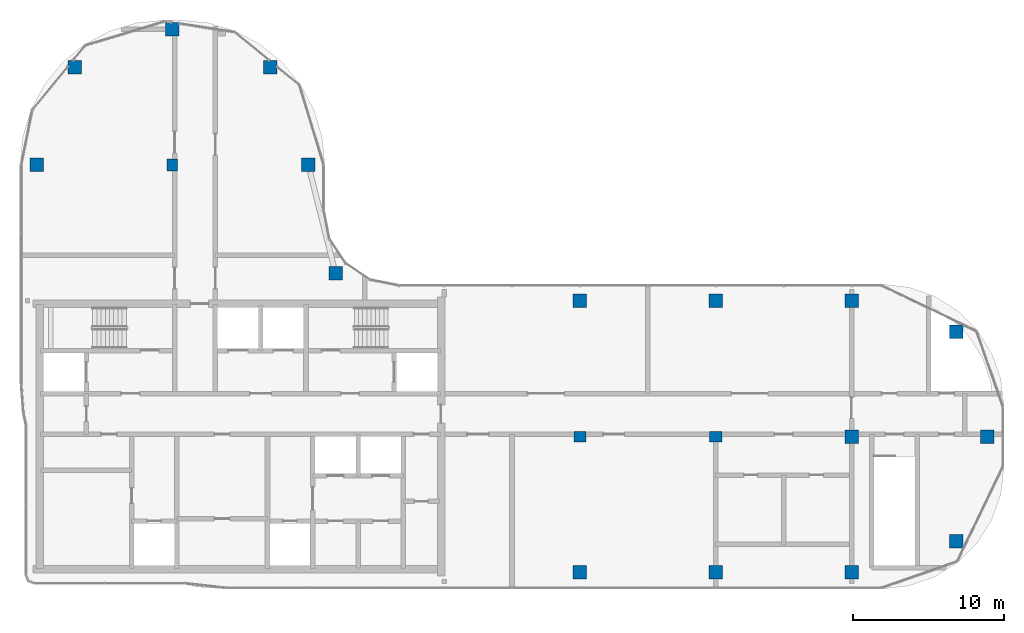
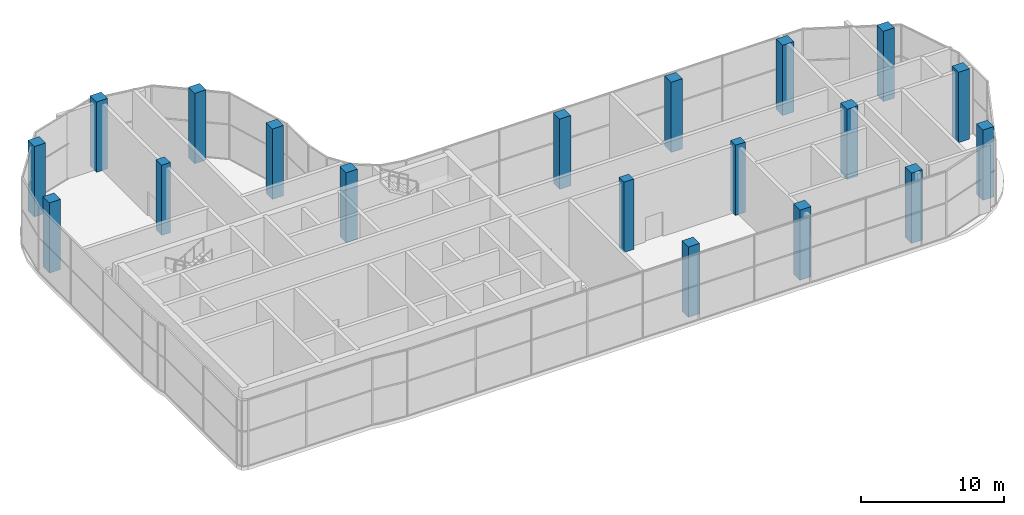
# One storey, part 1 of 21: 19 columns.
"""IFC4 building model written with IfcOpenShell, lengths in metres."""

from ifc_helpers import new_model, si_unit, direction, frame, origin, origin_2d, place, context, subcontext, project, spatial, rectangle, extrude, material, material_profile, profile_set, type_object, element, save


model = new_model("IFC4")

# Units and contexts
model_context = context("Model", 3, precision=1e-05, world=origin(), true_north=direction((0.0, 1.0)))
body_context = subcontext(model_context, "Body", "Model", "MODEL_VIEW")
ifc_project = project(units=[si_unit("LENGTHUNIT", "METRE"), si_unit("AREAUNIT", "SQUARE_METRE"), si_unit("VOLUMEUNIT", "CUBIC_METRE"), si_unit("PLANEANGLEUNIT", "RADIAN"), si_unit("MASSUNIT", "GRAM", prefix="KILO")], contexts=[model_context])

# Site, building, storey
site_placement = place(None, origin())
site = spatial("IfcSite", under=ifc_project, at=site_placement, CompositionType="ELEMENT")
building_placement = place(site_placement, origin())
building = spatial("IfcBuilding", under=site, at=building_placement, Name="Ogive Portal Towers", CompositionType="ELEMENT")
storey_placement = place(building_placement, frame((0.0, 0.0, 266.89990234375)))
storey = spatial("IfcBuildingStorey", under=building, at=storey_placement, Name="L65", CompositionType="ELEMENT", Elevation=266.89990234375)

# Columns
ifc_material = material(Name="Concrete C60/75", Category="concrete")
ifc_material_profile_1 = material_profile(ifc_material, rectangle(XDim=0.800048828125, YDim=0.699951171875, at=origin_2d()), Name="RC 800x700")
ifc_profile_set_1 = profile_set([ifc_material_profile_1], Name="Concrete C60/75")
column_type_1 = type_object("IfcColumnType", Name="COLUMN RC 800x700", PredefinedType="COLUMN", material=ifc_profile_set_1)
for number, where, z_axis, x_axis, name in (
    (1, (67.5, 30.5, 0.0), (0.0, 0.0, 1.0), (1.0, 0.0, 0.0), "Column 5/B L65"),
    (2, (76.5, 30.5, 0.0), (0.0, 0.0, 1.0), (1.0, 0.0, 0.0), "Column 6/B L65"),
    (3, (40.5, 48.5, 0.0), (0.0, 0.0, 1.0), (0.0, 1.0, 0.0), "Column 2/D L65"),
):
    element("IfcColumn", number, at=place(storey_placement, frame(where, z_axis=z_axis, x_axis=x_axis)), inside=storey, type_object=column_type_1, Name=name, PredefinedType="COLUMN", context=body_context, shape_type="SweptSolid", body=[
        extrude(rectangle(XDim=0.800048828125, YDim=0.699951171875, at=origin_2d()), origin(), (0.0, 0.0, 1.0), 6.0),
    ])
ifc_material_profile_2 = material_profile(ifc_material, rectangle(XDim=0.89990234375, YDim=0.89990234375, at=origin_2d()), Name="RC 900x900")
ifc_profile_set_2 = profile_set([ifc_material_profile_2], Name="Concrete C60/75")
column_type_2 = type_object("IfcColumnType", Name="COLUMN RC 900x900", PredefinedType="COLUMN", material=ifc_profile_set_2)
for number, where, z_axis, x_axis, name in (
    (4, (67.5, 21.5, 0.0), (0.0, 0.0, 1.0), (1.0, 0.0, 0.0), "Column 5/A L65"),
    (5, (76.5, 21.5, 0.0), (0.0, 0.0, 1.0), (1.0, 0.0, 0.0), "Column 6/A L65"),
    (6, (85.5, 21.5, 0.0), (0.0, 0.0, 1.0), (1.0, 0.0, 0.0), "Column 7/A L65"),
    (7, (92.449951171875, 23.550048828125, 0.0), (0.0, 0.0, 1.0), (1.0, 0.0, 0.0), "Column L65"),
    (8, (85.5, 30.5, 0.0), (0.0, 0.0, 1.0), (1.0, 0.0, 0.0), "Column 7/B L65"),
    (9, (94.5, 30.5, 0.0), (0.0, 0.0, 1.0), (1.0, 0.0, 0.0), "Column 8/B L65"),
    (10, (92.449951171875, 37.449951171875, 0.0), (0.0, 0.0, 1.0), (1.0, 0.0, 0.0), "Column L65"),
    (11, (67.5, 39.5, 0.0), (0.0, 0.0, 1.0), (1.0, 0.0, 0.0), "Column 5/C L65"),
    (12, (76.5, 39.5, 0.0), (0.0, 0.0, 1.0), (1.0, 0.0, 0.0), "Column 6/C L65"),
    (13, (85.5, 39.5, 0.0), (0.0, 0.0, 1.0), (1.0, 0.0, 0.0), "Column 7/C L65"),
    (14, (51.31005859375, 41.31005859375, 0.0), (0.0, 0.0, 1.0), (1.0, 0.0, 0.0), "Column L65"),
    (15, (31.5, 48.5, 0.0), (0.0, 0.0, 1.0), (1.0, 0.0, 0.0), "Column 1/D L65"),
    (16, (49.5, 48.5, 0.0), (0.0, 0.0, 1.0), (1.0, 0.0, 0.0), "Column 3/D L65"),
    (17, (34.027099609375, 54.972900390625, 0.0), (0.0, 0.0, 1.0), (1.0, 0.0, 0.0), "Column L65"),
    (18, (46.972900390625, 54.972900390625, 0.0), (0.0, 0.0, 1.0), (1.0, 0.0, 0.0), "Column L65"),
    (19, (40.5, 57.5, 0.0), (0.0, 0.0, 1.0), (1.0, 0.0, 0.0), "Column 2/E L65"),
):
    element("IfcColumn", number, at=place(storey_placement, frame(where, z_axis=z_axis, x_axis=x_axis)), inside=storey, type_object=column_type_2, Name=name, PredefinedType="COLUMN", context=body_context, shape_type="SweptSolid", body=[
        extrude(rectangle(XDim=0.89990234375, YDim=0.89990234375, at=origin_2d()), origin(), (0.0, 0.0, 1.0), 6.0),
    ])

save(model, "model.ifc")
